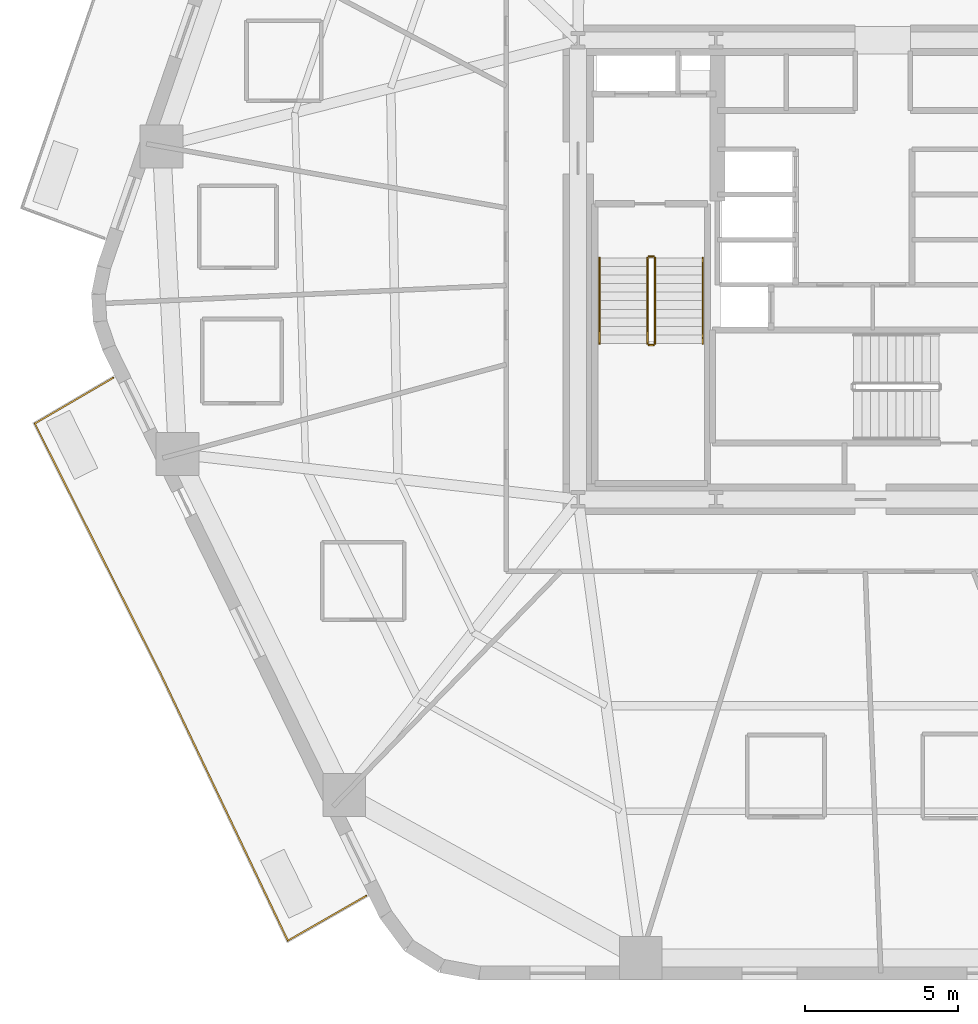
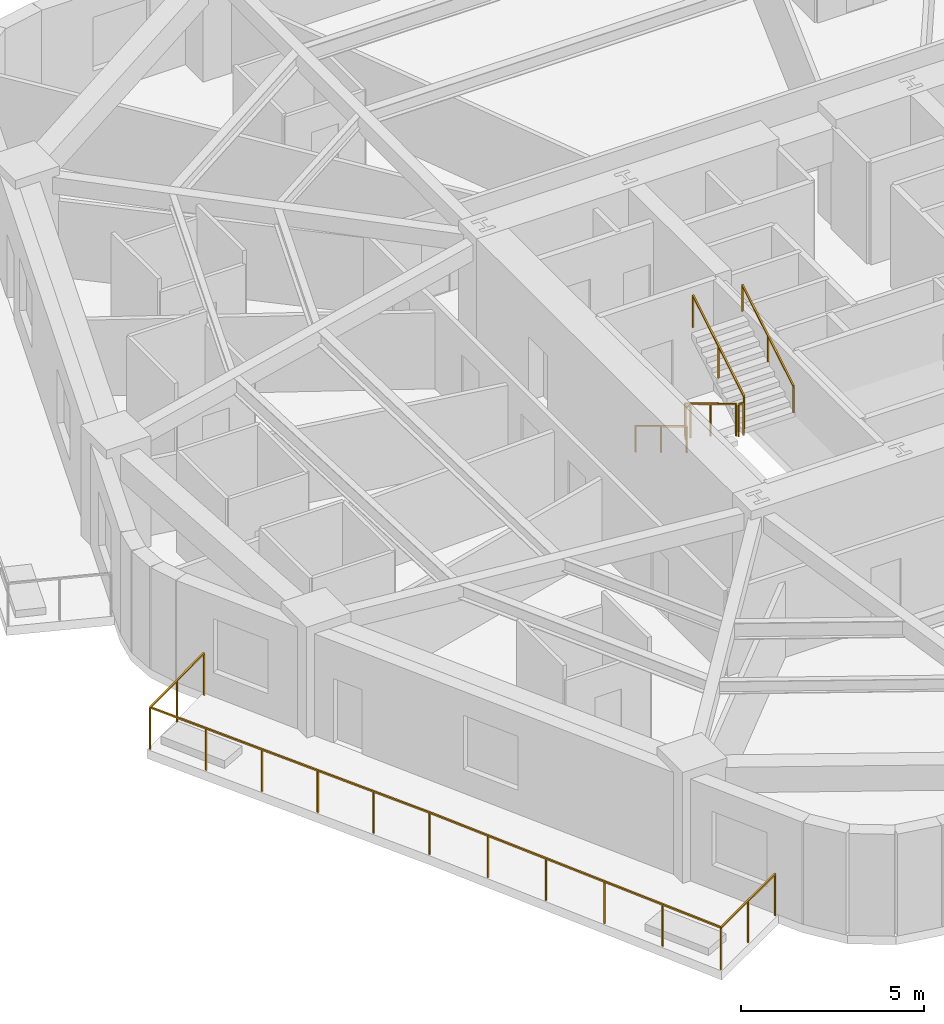
# One storey, part 8 of 10: 7 railings.
"""IFC4 building model written with IfcOpenShell, lengths in metres."""

from ifc_helpers import new_model, si_unit, direction, frame, origin, origin_2d, place, context, subcontext, project, spatial, rectangle, extrude, material, layer, layer_set, type_object, element, save


model = new_model("IFC4")

# Units and contexts
model_context = context("Model", 3, precision=1e-05, world=origin(), true_north=direction((0.0, 1.0)))
body_context = subcontext(model_context, "Body", "Model", "MODEL_VIEW")
ifc_project = project(units=[si_unit("LENGTHUNIT", "METRE"), si_unit("AREAUNIT", "SQUARE_METRE"), si_unit("VOLUMEUNIT", "CUBIC_METRE"), si_unit("PLANEANGLEUNIT", "RADIAN"), si_unit("MASSUNIT", "GRAM", prefix="KILO")], contexts=[model_context])

# Site, building, storey
site_placement = place(None, origin())
site = spatial("IfcSite", under=ifc_project, at=site_placement, CompositionType="ELEMENT")
building_placement = place(site_placement, origin())
building = spatial("IfcBuilding", under=site, at=building_placement, Name="Kilnhurst Terrace Hotel", CompositionType="ELEMENT")
storey_placement = place(building_placement, frame((0.0, 0.0, 45.300048828125)))
storey = spatial("IfcBuildingStorey", under=building, at=storey_placement, Name="L09", CompositionType="ELEMENT", Elevation=45.300048828125)

# Railings
ifc_material_1 = material(Name="Laminated SentryGlas and Stainless Steel AISI 316L Balustrade", Category="steel")
ifc_layer_1 = layer(ifc_material_1, 0.070068359375, Name="Laminated SentryGlas and Stainless Steel AISI 316L Balustrade")
ifc_layer_set_1 = layer_set([ifc_layer_1], Name="Laminated SentryGlas and Stainless Steel AISI 316L Balustrade")
railing_type_1 = type_object("IfcRailingType", Name="RLG-BAL-1420", PredefinedType="BALUSTRADE", material=ifc_layer_set_1)
railing_1_placement = place(storey_placement, frame((-15.923095703125, -20.44873046875, 0.0)))
element("IfcRailing", 1, at=railing_1_placement, inside=storey, type_object=railing_type_1, Name="L09 Exterior Terrace Guardrail BAL-L2B.1", PredefinedType="BALUSTRADE", context=body_context, shape_type="SweptSolid", body=[
    extrude(rectangle(XDim=0.048095703125, YDim=0.048095703125, at=origin_2d()), frame((0.0, 0.0, 1.39599609375), z_axis=(-0.86763656582, -0.497198943736, 0.0), x_axis=(0.497198943736, -0.86763656582, 0.0)), (0.0, 0.0, 1.0), 2.95068359375),
    extrude(rectangle(XDim=0.048095703125, YDim=0.048095703125, at=origin_2d()), frame((-2.56005859375, -1.467041015625, 1.39599609375), z_axis=(-0.430147205624, 0.902758761516, 0.0), x_axis=(-0.902758761516, -0.430147205624, 0.0)), (0.0, 0.0, 1.0), 9.67041015625),
    extrude(rectangle(XDim=0.048095703125, YDim=0.048095703125, at=origin_2d()), frame((-6.7197265625, 7.262939453125, 1.39599609375), z_axis=(-0.514495755428, 0.857492925713, 0.0), x_axis=(-0.857492925713, -0.514495755428, 0.0)), (0.0, 0.0, 1.0), 0.00146484375),
    extrude(rectangle(XDim=0.048095703125, YDim=0.048095703125, at=origin_2d()), frame((-6.720458984375, 7.26416015625, 1.39599609375), z_axis=(-0.449648824937, 0.89320542667, 0.0), x_axis=(-0.89320542667, -0.449648824937, 0.0)), (0.0, 0.0, 1.0), 9.136962890625),
    extrude(rectangle(XDim=0.048095703125, YDim=0.048095703125, at=origin_2d()), frame((-10.828857421875, 15.42529296875, 1.39599609375), z_axis=(0.863737120301, 0.503942642584, 0.0), x_axis=(-0.503942642584, 0.863737120301, 0.0)), (0.0, 0.0, 1.0), 2.96728515625),
    extrude(rectangle(XDim=0.0419921875, YDim=0.0419921875, at=origin_2d()), origin(), (0.0, 0.0, 1.0), 1.371826171875),
    extrude(rectangle(XDim=0.0419921875, YDim=0.0419921875, at=origin_2d()), frame((-1.280029296875, -0.7333984375, 0.0)), (0.0, 0.0, 1.0), 1.371826171875),
    extrude(rectangle(XDim=0.0419921875, YDim=0.0419921875, at=origin_2d()), frame((-2.56005859375, -1.467041015625, 0.0)), (0.0, 0.0, 1.0), 1.371826171875),
    extrude(rectangle(XDim=0.0419921875, YDim=0.0419921875, at=origin_2d()), frame((-3.39208984375, 0.279052734375, 0.0)), (0.0, 0.0, 1.0), 1.371826171875),
    extrude(rectangle(XDim=0.0419921875, YDim=0.0419921875, at=origin_2d()), frame((-4.223876953125, 2.02490234375, 0.0)), (0.0, 0.0, 1.0), 1.371826171875),
    extrude(rectangle(XDim=0.0419921875, YDim=0.0419921875, at=origin_2d()), frame((-5.055908203125, 3.77099609375, 0.0)), (0.0, 0.0, 1.0), 1.371826171875),
    extrude(rectangle(XDim=0.0419921875, YDim=0.0419921875, at=origin_2d()), frame((-5.8876953125, 5.516845703125, 0.0)), (0.0, 0.0, 1.0), 1.371826171875),
    extrude(rectangle(XDim=0.0419921875, YDim=0.0419921875, at=origin_2d()), frame((-6.7197265625, 7.262939453125, 0.0)), (0.0, 0.0, 1.0), 1.371826171875),
    extrude(rectangle(XDim=0.0419921875, YDim=0.0419921875, at=origin_2d()), frame((-6.720458984375, 7.26416015625, 0.0)), (0.0, 0.0, 1.0), 1.371826171875),
    extrude(rectangle(XDim=0.0419921875, YDim=0.0419921875, at=origin_2d()), frame((-7.542236328125, 8.896484375, 0.0)), (0.0, 0.0, 1.0), 1.371826171875),
    extrude(rectangle(XDim=0.0419921875, YDim=0.0419921875, at=origin_2d()), frame((-8.36376953125, 10.528564453125, 0.0)), (0.0, 0.0, 1.0), 1.371826171875),
    extrude(rectangle(XDim=0.0419921875, YDim=0.0419921875, at=origin_2d()), frame((-9.185546875, 12.160888671875, 0.0)), (0.0, 0.0, 1.0), 1.371826171875),
    extrude(rectangle(XDim=0.0419921875, YDim=0.0419921875, at=origin_2d()), frame((-10.007080078125, 13.79296875, 0.0)), (0.0, 0.0, 1.0), 1.371826171875),
    extrude(rectangle(XDim=0.0419921875, YDim=0.0419921875, at=origin_2d()), frame((-10.828857421875, 15.42529296875, 0.0)), (0.0, 0.0, 1.0), 1.371826171875),
    extrude(rectangle(XDim=0.0419921875, YDim=0.0419921875, at=origin_2d()), frame((-9.54736328125, 16.1728515625, 0.0)), (0.0, 0.0, 1.0), 1.371826171875),
    extrude(rectangle(XDim=0.0419921875, YDim=0.0419921875, at=origin_2d()), frame((-8.265869140625, 16.920654296875, 0.0)), (0.0, 0.0, 1.0), 1.371826171875),
])
ifc_material_2 = material(Name="Powder-Coated Steel ASTM A500 Grade B", Category="steel")
ifc_layer_2 = layer(ifc_material_2, 0.050048828125, Name="Powder-Coated Steel ASTM A500 Grade B")
ifc_layer_set_2 = layer_set([ifc_layer_2], Name="Powder-Coated Steel ASTM A500 Grade B")
railing_type_2 = type_object("IfcRailingType", Name="RLG-ST-GRD-1100", PredefinedType="GUARDRAIL", material=ifc_layer_set_2)
railing_2_placement = place(storey_placement, frame((-6.739990234375, 0.389892578125, 0.168212890625)))
element("IfcRailing", 2, at=railing_2_placement, inside=storey, type_object=railing_type_2, Name="L09 ST-1 stair guard 1", PredefinedType="GUARDRAIL", context=body_context, shape_type="SweptSolid", body=[
    extrude(rectangle(XDim=0.048095703125, YDim=0.048095703125, at=origin_2d()), frame((0.0, 0.0, 1.076171875), z_axis=(0.0, -0.857255387014, 0.514891446264), x_axis=(1.0, 0.0, 0.0)), (0.0, 0.0, 1.0), 3.26611328125),
    extrude(rectangle(XDim=0.0419921875, YDim=0.0419921875, at=origin_2d()), origin(), (0.0, 0.0, 1.0), 1.052001953125),
    extrude(rectangle(XDim=0.0419921875, YDim=0.0419921875, at=origin_2d()), frame((0.0, -1.39990234375, 0.8408203125)), (0.0, 0.0, 1.0), 1.052001953125),
    extrude(rectangle(XDim=0.0419921875, YDim=0.0419921875, at=origin_2d()), frame((0.0, -2.7998046875, 1.681640625)), (0.0, 0.0, 1.0), 1.052001953125),
])
railing_3_placement = place(storey_placement, frame((-6.68994140625, -2.4599609375, 1.849853515625)))
element("IfcRailing", 3, at=railing_3_placement, inside=storey, type_object=railing_type_2, Name="L09 ST-1 stair guard 2", PredefinedType="GUARDRAIL", context=body_context, shape_type="SweptSolid", body=[
    extrude(rectangle(XDim=0.048095703125, YDim=0.048095703125, at=origin_2d()), frame((0.0, 0.0, 1.076171875), z_axis=(1.0, 0.0, 0.0), x_axis=(0.0, 1.0, 0.0)), (0.0, 0.0, 1.0), 0.14990234375),
    extrude(rectangle(XDim=0.0419921875, YDim=0.0419921875, at=origin_2d()), origin(), (0.0, 0.0, 1.0), 1.052001953125),
    extrude(rectangle(XDim=0.0419921875, YDim=0.0419921875, at=origin_2d()), frame((0.14990234375, 0.0, 0.0)), (0.0, 0.0, 1.0), 1.052001953125),
])
railing_4_placement = place(storey_placement, frame((-6.489990234375, -2.409912109375, 2.01806640625)))
element("IfcRailing", 4, at=railing_4_placement, inside=storey, type_object=railing_type_2, Name="L09 ST-1 stair guard 3", PredefinedType="GUARDRAIL", context=body_context, shape_type="SweptSolid", body=[
    extrude(rectangle(XDim=0.048095703125, YDim=0.048095703125, at=origin_2d()), frame((0.0, 0.0, 1.076171875), z_axis=(0.0, 0.857222391501, 0.514946377315), x_axis=(-1.0, 0.0, 0.0)), (0.0, 0.0, 1.0), 3.26611328125),
    extrude(rectangle(XDim=0.0419921875, YDim=0.0419921875, at=origin_2d()), origin(), (0.0, 0.0, 1.0), 1.052001953125),
    extrude(rectangle(XDim=0.0419921875, YDim=0.0419921875, at=origin_2d()), frame((0.0, 1.39990234375, 0.8408203125)), (0.0, 0.0, 1.0), 1.052001953125),
    extrude(rectangle(XDim=0.0419921875, YDim=0.0419921875, at=origin_2d()), frame((0.0, 2.7998046875, 1.681884765625)), (0.0, 0.0, 1.0), 1.052001953125),
])
railing_5_placement = place(storey_placement, frame((-6.68994140625, 0.43994140625, 0.0)))
element("IfcRailing", 5, at=railing_5_placement, inside=storey, type_object=railing_type_2, Name="L09 ST-1 stair guard 4", PredefinedType="GUARDRAIL", context=body_context, shape_type="SweptSolid", body=[
    extrude(rectangle(XDim=0.048095703125, YDim=0.048095703125, at=origin_2d()), frame((0.0, 0.0, 1.076171875), z_axis=(1.0, 0.0, 0.0), x_axis=(0.0, 1.0, 0.0)), (0.0, 0.0, 1.0), 0.14990234375),
    extrude(rectangle(XDim=0.0419921875, YDim=0.0419921875, at=origin_2d()), origin(), (0.0, 0.0, 1.0), 1.052001953125),
    extrude(rectangle(XDim=0.0419921875, YDim=0.0419921875, at=origin_2d()), frame((0.14990234375, 0.0, 0.0)), (0.0, 0.0, 1.0), 1.052001953125),
])
ifc_material_3 = material(Name="Brushed Stainless Steel AISI 304", Category="steel")
ifc_layer_3 = layer(ifc_material_3, 0.048095703125, Name="Brushed Stainless Steel AISI 304")
ifc_layer_set_3 = layer_set([ifc_layer_3], Name="Brushed Stainless Steel AISI 304")
railing_type_3 = type_object("IfcRailingType", Name="RLG-ST-HRL-900", PredefinedType="HANDRAIL", material=ifc_layer_set_3)
railing_6_placement = place(storey_placement, frame((-8.300048828125, 0.389892578125, 0.168212890625)))
element("IfcRailing", 6, at=railing_6_placement, inside=storey, type_object=railing_type_3, Name="L09 ST-1 stair handrail 1", PredefinedType="HANDRAIL", context=body_context, shape_type="SweptSolid", body=[
    extrude(rectangle(XDim=0.048095703125, YDim=0.048095703125, at=origin_2d()), frame((0.0, 0.0, 0.8759765625), z_axis=(0.0, -0.857255387014, 0.514891446264), x_axis=(1.0, 0.0, 0.0)), (0.0, 0.0, 1.0), 3.26611328125),
    extrude(rectangle(XDim=0.0419921875, YDim=0.0419921875, at=origin_2d()), origin(), (0.0, 0.0, 1.0), 0.851806640625),
    extrude(rectangle(XDim=0.0419921875, YDim=0.0419921875, at=origin_2d()), frame((0.0, -1.39990234375, 0.8408203125)), (0.0, 0.0, 1.0), 0.851806640625),
    extrude(rectangle(XDim=0.0419921875, YDim=0.0419921875, at=origin_2d()), frame((0.0, -2.7998046875, 1.681640625)), (0.0, 0.0, 1.0), 0.851806640625),
])
railing_7_placement = place(storey_placement, frame((-4.929931640625, -2.409912109375, 2.01806640625)))
element("IfcRailing", 7, at=railing_7_placement, inside=storey, type_object=railing_type_3, Name="L09 ST-1 stair handrail 2", PredefinedType="HANDRAIL", context=body_context, shape_type="SweptSolid", body=[
    extrude(rectangle(XDim=0.048095703125, YDim=0.048095703125, at=origin_2d()), frame((0.0, 0.0, 0.8759765625), z_axis=(0.0, 0.857222391501, 0.514946377315), x_axis=(-1.0, 0.0, 0.0)), (0.0, 0.0, 1.0), 3.26611328125),
    extrude(rectangle(XDim=0.0419921875, YDim=0.0419921875, at=origin_2d()), origin(), (0.0, 0.0, 1.0), 0.851806640625),
    extrude(rectangle(XDim=0.0419921875, YDim=0.0419921875, at=origin_2d()), frame((0.0, 1.39990234375, 0.8408203125)), (0.0, 0.0, 1.0), 0.851806640625),
    extrude(rectangle(XDim=0.0419921875, YDim=0.0419921875, at=origin_2d()), frame((0.0, 2.7998046875, 1.681884765625)), (0.0, 0.0, 1.0), 0.851806640625),
])

save(model, "model.ifc")
